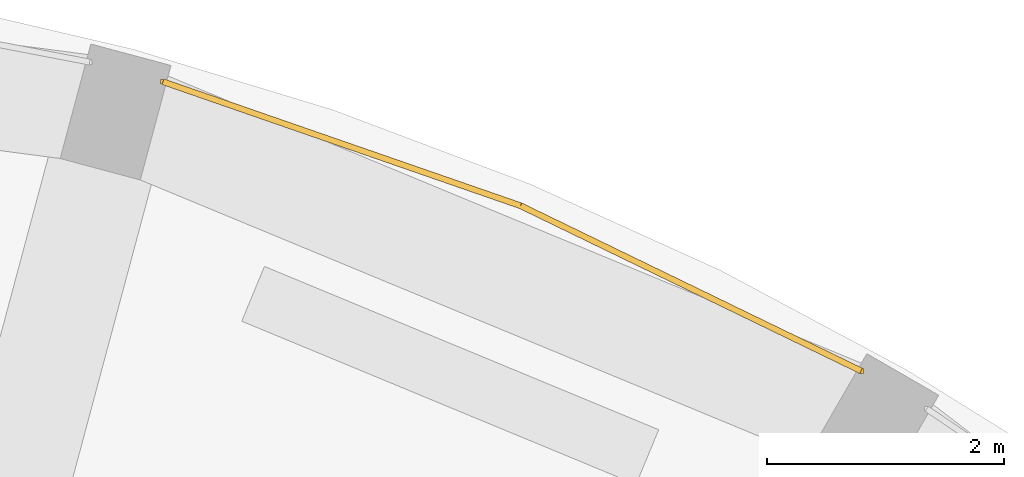
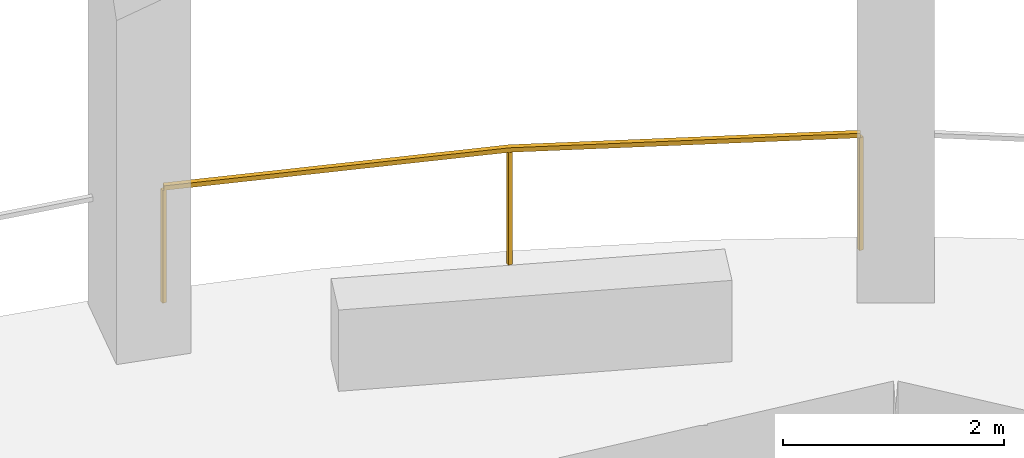
# One storey, part 9 of 9: 1 railing.
"""IFC4 building model written with IfcOpenShell, lengths in metres."""

from ifc_helpers import new_model, si_unit, direction, frame, origin, origin_2d, place, context, subcontext, project, spatial, rectangle, extrude, material, type_object, element, save


model = new_model("IFC4")

# Units and contexts
model_context = context("Model", 3, precision=1e-05, world=origin(), true_north=direction((0.0, 1.0)))
body_context = subcontext(model_context, "Body", "Model", "MODEL_VIEW")
ifc_project = project(units=[si_unit("LENGTHUNIT", "METRE"), si_unit("AREAUNIT", "SQUARE_METRE"), si_unit("VOLUMEUNIT", "CUBIC_METRE"), si_unit("PLANEANGLEUNIT", "RADIAN"), si_unit("MASSUNIT", "GRAM", prefix="KILO")], contexts=[model_context])

# Site, building, storey
site_placement = place(None, origin())
site = spatial("IfcSite", under=ifc_project, at=site_placement, CompositionType="ELEMENT")
building_placement = place(site_placement, origin())
building = spatial("IfcBuilding", under=site, at=building_placement, Name="Torre Triforio", CompositionType="ELEMENT")
storey_placement = place(building_placement, frame((0.0, 0.0, 27.0)))
storey = spatial("IfcBuildingStorey", under=building, at=storey_placement, Name="L04", CompositionType="ELEMENT", Elevation=27.0)

# Railing
ifc_material = material(Name="Stainless steel AISI 316", Category="steel")
railing_type = type_object("IfcRailingType", Name="Loggia guard 1300", PredefinedType="GUARDRAIL", material=ifc_material)
railing_placement = place(storey_placement, frame((13.14794921875, 23.412841796875, 0.0)))
element("IfcRailing", 1, at=railing_placement, inside=storey, type_object=railing_type, Name="Loggia guard L04 bay 05", PredefinedType="GUARDRAIL", context=body_context, shape_type="SweptSolid", body=[
    extrude(rectangle(XDim=0.050048828125, YDim=0.050048828125, at=origin_2d()), frame((0.0, 0.0, 1.27490234375), z_axis=(-0.899760432952, 0.436384192305, 0.0), x_axis=(-0.436384192305, -0.899760432952, 0.0)), (0.0, 0.0, 1.0), 3.19287109375),
    extrude(rectangle(XDim=0.050048828125, YDim=0.050048828125, at=origin_2d()), frame((-2.872802734375, 1.393310546875, 1.27490234375), z_axis=(-0.94480685358, 0.327627852034, 0.0), x_axis=(-0.327627852034, -0.94480685358, 0.0)), (0.0, 0.0, 1.0), 3.193115234375),
    extrude(rectangle(XDim=0.0400390625, YDim=0.0400390625, at=origin_2d()), origin(), (0.0, 0.0, 1.0), 1.25),
    extrude(rectangle(XDim=0.0400390625, YDim=0.0400390625, at=origin_2d()), frame((-2.872802734375, 1.393310546875, 0.0)), (0.0, 0.0, 1.0), 1.25),
    extrude(rectangle(XDim=0.0400390625, YDim=0.0400390625, at=origin_2d()), frame((-5.8896484375, 2.439453125, 0.0)), (0.0, 0.0, 1.0), 1.25),
])

save(model, "model.ifc")
